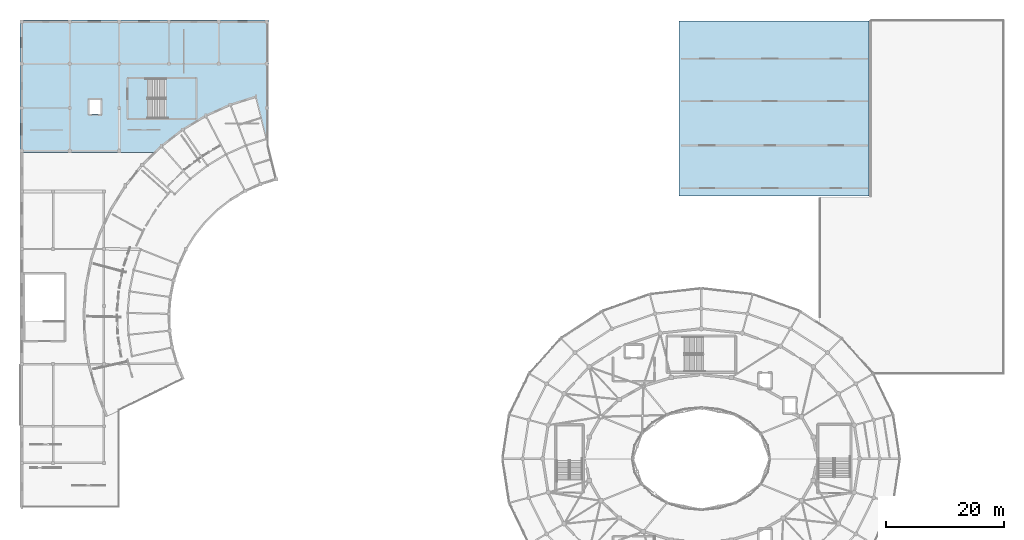
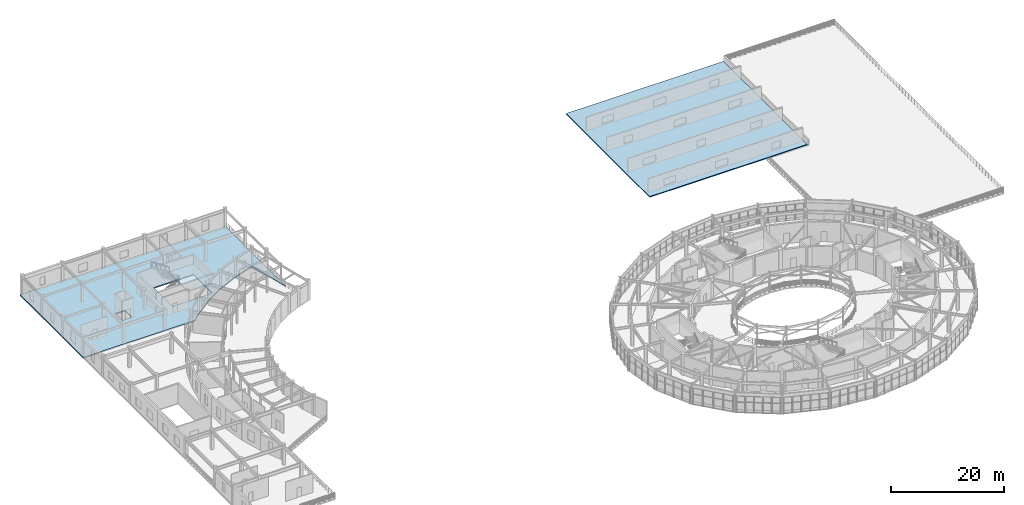
# One storey, part 34 of 60: 3 slabs, 1 element without a shape of its own.
"""IFC4 building model written with IfcOpenShell, lengths in metres."""

from ifc_helpers import new_model, si_unit, direction, frame, origin, place, context, subcontext, project, spatial, polyline, outline, extrude, material, layer, layer_set, type_object, element, aggregate, save


model = new_model("IFC4")

# Units and contexts
model_context = context("Model", 3, precision=1e-05, world=origin(), true_north=direction((0.0, 1.0)))
body_context = subcontext(model_context, "Body", "Model", "MODEL_VIEW")
ifc_project = project(units=[si_unit("LENGTHUNIT", "METRE"), si_unit("AREAUNIT", "SQUARE_METRE"), si_unit("VOLUMEUNIT", "CUBIC_METRE"), si_unit("PLANEANGLEUNIT", "RADIAN"), si_unit("MASSUNIT", "GRAM", prefix="KILO")], contexts=[model_context])

# Site, building, storey
site_placement = place(None, origin())
site = spatial("IfcSite", under=ifc_project, at=site_placement, CompositionType="ELEMENT")
building_placement = place(site_placement, origin())
building = spatial("IfcBuilding", under=site, at=building_placement, Name="Cinderbank Siding Concert Hall", CompositionType="ELEMENT")
storey_placement = place(building_placement, frame((0.0, 0.0, 14.699951171875)))
storey = spatial("IfcBuildingStorey", under=building, at=storey_placement, Name="L04", CompositionType="ELEMENT", Elevation=14.699951171875)

# Stair, slab
ifc_material = material(Name="Reinforced concrete AS 3600 N50 (50 MPa)", Category="concrete")
stair_type = type_object("IfcStairType", Name="STR-L Dogleg Exit Stair 3250mm", PredefinedType="HALF_TURN_STAIR", material=ifc_material)
stair_placement = place(storey_placement, origin())
stair = element("IfcStair", 1, at=stair_placement, inside=storey, type_object=stair_type, Name="L04 Rehearsal Wing Exit Stair ST-05", PredefinedType="HALF_TURN_STAIR")
ifc_layer_1 = layer(ifc_material, 0.199951171875)
ifc_layer_set_1 = layer_set([ifc_layer_1], Name="Reinforced concrete AS 3600 N50 (50 MPa)")
slab_type_1 = type_object("IfcSlabType", Name="LD-02 Slab 200mm", PredefinedType="LANDING", material=ifc_layer_set_1)
slab_1_placement = place(storey_placement, frame((0.0, 0.0, 2.050048828125)))
slab_1 = element("IfcSlab", 2, at=slab_1_placement, type_object=slab_type_1, Name="ST-05 landing 1", PredefinedType="LANDING", context=body_context, shape_type="SweptSolid", body=[
    extrude(outline(polyline([(31.4599609375, 101.52001953125), (31.4599609375, 108.340087890625), (36.580078125, 108.340087890625), (36.580078125, 101.52001953125), (31.4599609375, 101.52001953125)])), origin(), (0.0, 0.0, 1.0), 0.199951171875),
])
aggregate(stair, [slab_1])

# Slabs
ifc_layer_2 = layer(ifc_material, 0.2099609375)
ifc_layer_set_2 = layer_set([ifc_layer_2], Name="Reinforced concrete AS 3600 N50 (50 MPa)")
slab_type_2 = type_object("IfcSlabType", Name="RF-02 Slab 210mm", PredefinedType="ROOF", material=ifc_layer_set_2)
slab_2_placement = place(storey_placement, frame((0.0, 0.0, 0.010009765625)))
element("IfcSlab", 3, at=slab_2_placement, inside=storey, type_object=slab_type_2, Name="L04 Sawtooth Clerestory Roof Deck", PredefinedType="ROOF", context=body_context, shape_type="SweptSolid", body=[
    extrude(outline(polyline([(118.199951171875, 88.39990234375), (118.199951171875, 118.0), (150.39990234375, 118.0), (150.39990234375, 88.39990234375), (118.199951171875, 88.39990234375)])), origin(), (0.0, 0.0, 1.0), 0.2099609375),
])
ifc_layer_3 = layer(ifc_material, 0.239990234375)
ifc_layer_set_3 = layer_set([ifc_layer_3], Name="Reinforced concrete AS 3600 N50 (50 MPa)")
slab_type_3 = type_object("IfcSlabType", Name="SL-06 Slab 240mm", PredefinedType="FLOOR", material=ifc_layer_set_3)
slab_3_placement = place(storey_placement, frame((0.0, 0.0, -0.239990234375)))
element("IfcSlab", 4, at=slab_3_placement, inside=storey, type_object=slab_type_3, Name="L04 NW Slab", PredefinedType="FLOOR", context=body_context, shape_type="SweptSolid", body=[
    extrude(outline(polyline([(6.800048828125, 95.800048828125), (6.800048828125, 118.199951171875), (48.800048828125, 118.199951171875), (48.800048828125, 96.877685546875), (46.710205078125, 105.259521484375), (42.364013671875, 103.897216796875), (38.20947265625, 102.0302734375), (34.305419921875, 99.684326171875), (30.706298828125, 96.892578125), (29.59814453125, 95.800048828125), (6.800048828125, 95.800048828125)]), holes=[polyline([(28.35009765625, 101.60009765625), (36.5, 101.60009765625), (36.5, 108.260009765625), (28.35009765625, 108.260009765625), (28.35009765625, 101.60009765625)]), polyline([(18.5400390625, 102.2900390625), (20.4599609375, 102.2900390625), (20.4599609375, 104.7099609375), (18.5400390625, 104.7099609375), (18.5400390625, 102.2900390625)])]), origin(), (0.0, 0.0, 1.0), 0.239990234375),
])

save(model, "model.ifc")
